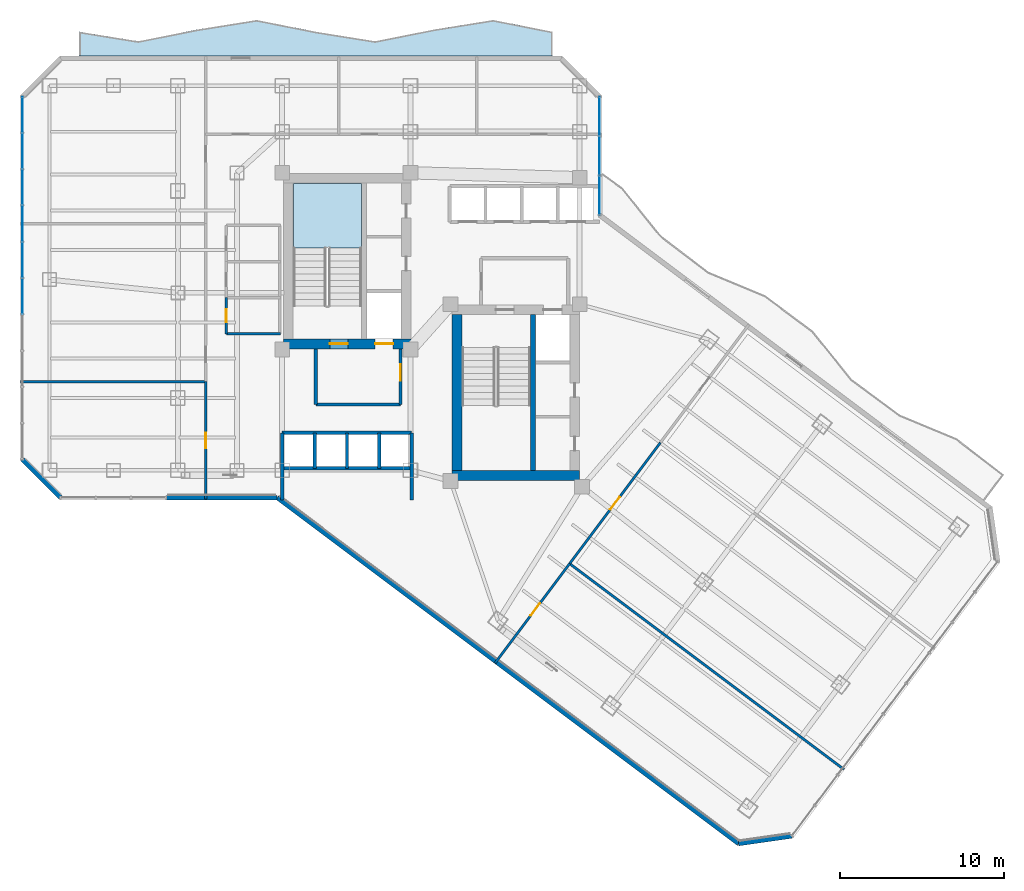
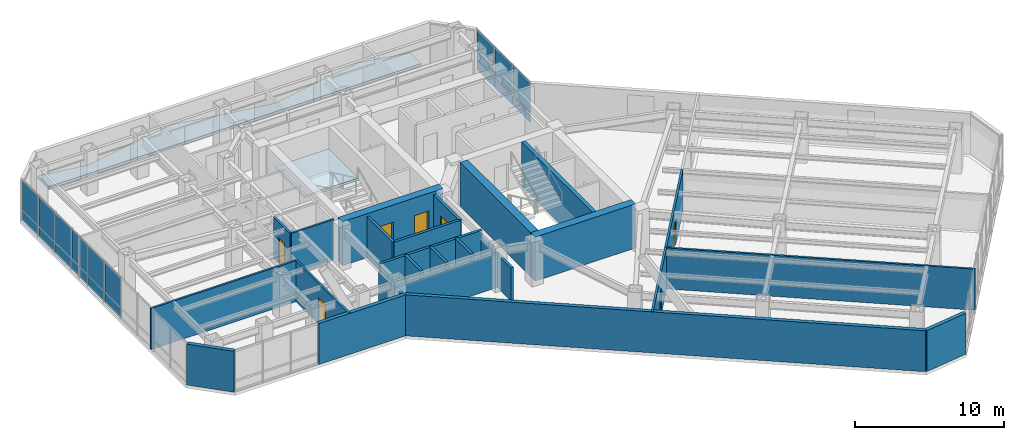
# One storey, part 23 of 30: 25 walls, 18 plates, 7 doors, 2 slabs, 7 openings, 3 elements without a shape of their own.
"""IFC4 building model written with IfcOpenShell, lengths in metres."""

from ifc_helpers import new_model, si_unit, direction, frame, frame_2d, origin, origin_2d, place, context, subcontext, project, spatial, polyline, rectangle, outline, extrude, material, layer, layer_set, type_object, element, fill, aggregate, save


model = new_model("IFC4")

# Units and contexts
model_context = context("Model", 3, precision=1e-05, world=origin(), true_north=direction((0.0, 1.0)))
body_context = subcontext(model_context, "Body", "Model", "MODEL_VIEW")
ifc_project = project(units=[si_unit("LENGTHUNIT", "METRE"), si_unit("AREAUNIT", "SQUARE_METRE"), si_unit("VOLUMEUNIT", "CUBIC_METRE"), si_unit("PLANEANGLEUNIT", "RADIAN"), si_unit("MASSUNIT", "GRAM", prefix="KILO")], contexts=[model_context])

# Site, building, storey
site_placement = place(None, origin())
site = spatial("IfcSite", under=ifc_project, at=site_placement, CompositionType="ELEMENT")
building_placement = place(site_placement, origin())
building = spatial("IfcBuilding", under=site, at=building_placement, Name="Hatsunagi Terrace Concourse", CompositionType="ELEMENT")
storey_placement = place(building_placement, frame((0.0, 0.0, 101.25)))
storey = spatial("IfcBuildingStorey", under=building, at=storey_placement, Name="L26", CompositionType="ELEMENT", Elevation=101.25)

# Curtain wall, plates
ifc_material_1 = material(Name="Anodised Aluminium Alloy 6063-T5", Category="aluminium")
ifc_layer_1 = layer(ifc_material_1, 0.199951171875)
ifc_layer_set_1 = layer_set([ifc_layer_1], Name="OfficeZone1_CW03")
curtain_wall_type = type_object("IfcCurtainWallType", Name="OfficeZone1_CW03", PredefinedType="NOTDEFINED", material=ifc_layer_set_1)
curtain_wall_1_placement = place(storey_placement, origin())
curtain_wall_1 = element("IfcCurtainWall", 1, at=curtain_wall_1_placement, inside=storey, type_object=curtain_wall_type, Name="Unitised Curtain Wall CW-03 CW-L26-09", PredefinedType="NOTDEFINED")
ifc_material_2 = material(Name="Warm Terracotta Ceramic Spandrel Panel", Category="masonry")
ifc_layer_2 = layer(ifc_material_2, 0.031982421875)
ifc_layer_set_2 = layer_set([ifc_layer_2], Name="CurtainWallSpandrelPanel_32")
plate_type_1 = type_object("IfcPlateType", Name="CurtainWallSpandrelPanel_32", PredefinedType="SHEET", material=ifc_layer_set_2)
plate_1_placement = place(storey_placement, frame((9.739990234375, 35.7958984375, 0.030029296875), z_axis=(0.0, 0.0, 1.0), x_axis=(0.0, 1.0, 0.0)))
plate_1 = element("IfcPlate", 2, at=plate_1_placement, type_object=plate_type_1, Name="Terracotta Spandrel Panel SPN-01", PredefinedType="SHEET", context=body_context, shape_type="SweptSolid", body=[
    extrude(rectangle(XDim=2.153076171875, YDim=0.031982421875, at=origin_2d()), origin(), (0.0, 0.0, 1.0), 0.7900390625),
])
plate_2_placement = place(storey_placement, frame((9.739990234375, 38.00390625, 0.030029296875), z_axis=(0.0, 0.0, 1.0), x_axis=(0.0, 1.0, 0.0)))
plate_2 = element("IfcPlate", 3, at=plate_2_placement, type_object=plate_type_1, Name="Terracotta Spandrel Panel SPN-01", PredefinedType="SHEET", context=body_context, shape_type="SweptSolid", body=[
    extrude(rectangle(XDim=2.153076171875, YDim=0.031982421875, at=origin_2d()), origin(), (0.0, 0.0, 1.0), 0.7900390625),
])
plate_3_placement = place(storey_placement, frame((9.739990234375, 40.212890625, 0.030029296875), z_axis=(0.0, 0.0, 1.0), x_axis=(0.0, 1.0, 0.0)))
plate_3 = element("IfcPlate", 4, at=plate_3_placement, type_object=plate_type_1, Name="Terracotta Spandrel Panel SPN-01", PredefinedType="SHEET", context=body_context, shape_type="SweptSolid", body=[
    extrude(rectangle(XDim=2.153076171875, YDim=0.031982421875, at=origin_2d()), origin(), (0.0, 0.0, 1.0), 0.7900390625),
])
plate_4_placement = place(storey_placement, frame((9.739990234375, 42.4208984375, 0.030029296875), z_axis=(0.0, 0.0, 1.0), x_axis=(0.0, 1.0, 0.0)))
plate_4 = element("IfcPlate", 5, at=plate_4_placement, type_object=plate_type_1, Name="Terracotta Spandrel Panel SPN-01", PredefinedType="SHEET", context=body_context, shape_type="SweptSolid", body=[
    extrude(rectangle(XDim=2.153076171875, YDim=0.031982421875, at=origin_2d()), origin(), (0.0, 0.0, 1.0), 0.7900390625),
])
plate_5_placement = place(storey_placement, frame((9.739990234375, 44.62890625, 0.030029296875), z_axis=(0.0, 0.0, 1.0), x_axis=(0.0, 1.0, 0.0)))
plate_5 = element("IfcPlate", 6, at=plate_5_placement, type_object=plate_type_1, Name="Terracotta Spandrel Panel SPN-01", PredefinedType="SHEET", context=body_context, shape_type="SweptSolid", body=[
    extrude(rectangle(XDim=2.153076171875, YDim=0.031982421875, at=origin_2d()), origin(), (0.0, 0.0, 1.0), 0.7900390625),
])
plate_6_placement = place(storey_placement, frame((9.739990234375, 46.837890625, 0.030029296875), z_axis=(0.0, 0.0, 1.0), x_axis=(0.0, 1.0, 0.0)))
plate_6 = element("IfcPlate", 7, at=plate_6_placement, type_object=plate_type_1, Name="Terracotta Spandrel Panel SPN-01", PredefinedType="SHEET", context=body_context, shape_type="SweptSolid", body=[
    extrude(rectangle(XDim=2.153076171875, YDim=0.031982421875, at=origin_2d()), origin(), (0.0, 0.0, 1.0), 0.7900390625),
])

curtain_wall_2_placement = place(storey_placement, origin())
curtain_wall_2 = element("IfcCurtainWall", 8, at=curtain_wall_2_placement, inside=storey, type_object=curtain_wall_type, Name="Unitised Curtain Wall CW-03 CW-L26-13", PredefinedType="NOTDEFINED")
plate_7_placement = place(storey_placement, frame((44.860107421875, 46.739990234375, 0.030029296875), z_axis=(0.0, 0.0, 1.0), x_axis=(0.0, -1.0, 0.0)))
plate_7 = element("IfcPlate", 9, at=plate_7_placement, type_object=plate_type_1, Name="Terracotta Spandrel Panel SPN-01", PredefinedType="SHEET", context=body_context, shape_type="SweptSolid", body=[
    extrude(rectangle(XDim=2.34912109375, YDim=0.031982421875, at=origin_2d()), origin(), (0.0, 0.0, 1.0), 0.7900390625),
])
plate_8_placement = place(storey_placement, frame((44.860107421875, 44.3359375, 0.030029296875), z_axis=(0.0, 0.0, 1.0), x_axis=(0.0, -1.0, 0.0)))
plate_8 = element("IfcPlate", 10, at=plate_8_placement, type_object=plate_type_1, Name="Terracotta Spandrel Panel SPN-01", PredefinedType="SHEET", context=body_context, shape_type="SweptSolid", body=[
    extrude(rectangle(XDim=2.34912109375, YDim=0.031982421875, at=origin_2d()), origin(), (0.0, 0.0, 1.0), 0.7900390625),
])
plate_9_placement = place(storey_placement, frame((44.860107421875, 41.931884765625, 0.030029296875), z_axis=(0.0, 0.0, 1.0), x_axis=(0.0, -1.0, 0.0)))
plate_9 = element("IfcPlate", 11, at=plate_9_placement, type_object=plate_type_1, Name="Terracotta Spandrel Panel SPN-01", PredefinedType="SHEET", context=body_context, shape_type="SweptSolid", body=[
    extrude(rectangle(XDim=2.34912109375, YDim=0.031982421875, at=origin_2d()), origin(), (0.0, 0.0, 1.0), 0.7900390625),
])

# Plate
ifc_material_3 = material(Name="Low-E Double Insulating Glass 28mm", Category="glass")
ifc_layer_3 = layer(ifc_material_3, 0.028076171875)
ifc_layer_set_3 = layer_set([ifc_layer_3], Name="CurtainWallVisionGlass_28")
plate_type_2 = type_object("IfcPlateType", Name="CurtainWallVisionGlass_28", PredefinedType="CURTAIN_PANEL", material=ifc_layer_set_3)
plate_10_placement = place(storey_placement, frame((9.739990234375, 35.7958984375, 0.880126953125), z_axis=(0.0, 0.0, 1.0), x_axis=(0.0, 1.0, 0.0)))
plate_10 = element("IfcPlate", 12, at=plate_10_placement, type_object=plate_type_2, Name="Low-E Vision Glass Panel GLZ-01", PredefinedType="CURTAIN_PANEL", context=body_context, shape_type="SweptSolid", body=[
    extrude(rectangle(XDim=2.153076171875, YDim=0.028076171875, at=origin_2d()), origin(), (0.0, 0.0, 1.0), 2.43994140625),
])

plate_11_placement = place(storey_placement, frame((9.739990234375, 38.00390625, 0.880126953125), z_axis=(0.0, 0.0, 1.0), x_axis=(0.0, 1.0, 0.0)))
plate_11 = element("IfcPlate", 13, at=plate_11_placement, type_object=plate_type_2, Name="Low-E Vision Glass Panel GLZ-01", PredefinedType="CURTAIN_PANEL", context=body_context, shape_type="SweptSolid", body=[
    extrude(rectangle(XDim=2.153076171875, YDim=0.028076171875, at=origin_2d()), origin(), (0.0, 0.0, 1.0), 2.43994140625),
])

plate_12_placement = place(storey_placement, frame((9.739990234375, 40.212890625, 0.880126953125), z_axis=(0.0, 0.0, 1.0), x_axis=(0.0, 1.0, 0.0)))
plate_12 = element("IfcPlate", 14, at=plate_12_placement, type_object=plate_type_2, Name="Low-E Vision Glass Panel GLZ-01", PredefinedType="CURTAIN_PANEL", context=body_context, shape_type="SweptSolid", body=[
    extrude(rectangle(XDim=2.153076171875, YDim=0.028076171875, at=origin_2d()), origin(), (0.0, 0.0, 1.0), 2.43994140625),
])

plate_13_placement = place(storey_placement, frame((9.739990234375, 42.4208984375, 0.880126953125), z_axis=(0.0, 0.0, 1.0), x_axis=(0.0, 1.0, 0.0)))
plate_13 = element("IfcPlate", 15, at=plate_13_placement, type_object=plate_type_2, Name="Low-E Vision Glass Panel GLZ-01", PredefinedType="CURTAIN_PANEL", context=body_context, shape_type="SweptSolid", body=[
    extrude(rectangle(XDim=2.153076171875, YDim=0.028076171875, at=origin_2d()), origin(), (0.0, 0.0, 1.0), 2.43994140625),
])

plate_14_placement = place(storey_placement, frame((9.739990234375, 44.62890625, 0.880126953125), z_axis=(0.0, 0.0, 1.0), x_axis=(0.0, 1.0, 0.0)))
plate_14 = element("IfcPlate", 16, at=plate_14_placement, type_object=plate_type_2, Name="Low-E Vision Glass Panel GLZ-01", PredefinedType="CURTAIN_PANEL", context=body_context, shape_type="SweptSolid", body=[
    extrude(rectangle(XDim=2.153076171875, YDim=0.028076171875, at=origin_2d()), origin(), (0.0, 0.0, 1.0), 2.43994140625),
])

plate_15_placement = place(storey_placement, frame((9.739990234375, 46.837890625, 0.880126953125), z_axis=(0.0, 0.0, 1.0), x_axis=(0.0, 1.0, 0.0)))
plate_15 = element("IfcPlate", 17, at=plate_15_placement, type_object=plate_type_2, Name="Low-E Vision Glass Panel GLZ-01", PredefinedType="CURTAIN_PANEL", context=body_context, shape_type="SweptSolid", body=[
    extrude(rectangle(XDim=2.153076171875, YDim=0.028076171875, at=origin_2d()), origin(), (0.0, 0.0, 1.0), 2.43994140625),
])

aggregate(curtain_wall_1, [plate_1, plate_10, plate_2, plate_11, plate_3, plate_12, plate_4, plate_13, plate_5, plate_14, plate_6, plate_15])

plate_16_placement = place(storey_placement, frame((44.860107421875, 46.739990234375, 0.880126953125), z_axis=(0.0, 0.0, 1.0), x_axis=(0.0, -1.0, 0.0)))
plate_16 = element("IfcPlate", 18, at=plate_16_placement, type_object=plate_type_2, Name="Low-E Vision Glass Panel GLZ-01", PredefinedType="CURTAIN_PANEL", context=body_context, shape_type="SweptSolid", body=[
    extrude(rectangle(XDim=2.34912109375, YDim=0.028076171875, at=origin_2d()), origin(), (0.0, 0.0, 1.0), 2.43994140625),
])

plate_17_placement = place(storey_placement, frame((44.860107421875, 44.3359375, 0.880126953125), z_axis=(0.0, 0.0, 1.0), x_axis=(0.0, -1.0, 0.0)))
plate_17 = element("IfcPlate", 19, at=plate_17_placement, type_object=plate_type_2, Name="Low-E Vision Glass Panel GLZ-01", PredefinedType="CURTAIN_PANEL", context=body_context, shape_type="SweptSolid", body=[
    extrude(rectangle(XDim=2.34912109375, YDim=0.028076171875, at=origin_2d()), origin(), (0.0, 0.0, 1.0), 2.43994140625),
])

plate_18_placement = place(storey_placement, frame((44.860107421875, 41.931884765625, 0.880126953125), z_axis=(0.0, 0.0, 1.0), x_axis=(0.0, -1.0, 0.0)))
plate_18 = element("IfcPlate", 20, at=plate_18_placement, type_object=plate_type_2, Name="Low-E Vision Glass Panel GLZ-01", PredefinedType="CURTAIN_PANEL", context=body_context, shape_type="SweptSolid", body=[
    extrude(rectangle(XDim=2.34912109375, YDim=0.028076171875, at=origin_2d()), origin(), (0.0, 0.0, 1.0), 2.43994140625),
])

aggregate(curtain_wall_2, [plate_7, plate_16, plate_8, plate_17, plate_9, plate_18])

# Stair, slab
ifc_material_4 = material(Name="Concrete Fc42", Category="concrete")
stair_type = type_object("IfcStairType", Name="DoglegExitStair_Tower2000_20R_180", PredefinedType="HALF_TURN_STAIR", material=ifc_material_4)
stair_placement = place(storey_placement, origin())
stair = element("IfcStair", 21, at=stair_placement, inside=storey, type_object=stair_type, Name="L26 Core A Protected Exit Stair ST-A", PredefinedType="HALF_TURN_STAIR")
ifc_material_5 = material(Name="Concrete Fc42", Category="concrete")
ifc_layer_4 = layer(ifc_material_5, 0.199951171875)
ifc_layer_set_4 = layer_set([ifc_layer_4], Name="DoglegStairLanding_Tower2000")
slab_type_1 = type_object("IfcSlabType", Name="DoglegStairLanding_Tower2000", PredefinedType="LANDING", material=ifc_layer_set_4)
slab_1_placement = place(storey_placement, frame((0.0, 0.0, 1.60009765625)))
slab_1 = element("IfcSlab", 22, at=slab_1_placement, type_object=slab_type_1, Name="ST-A landing 1", PredefinedType="LANDING", context=body_context, shape_type="SweptSolid", body=[
    extrude(outline(polyline([(30.3798828125, 38.7099609375), (30.3798828125, 42.659912109375), (26.22998046875, 42.659912109375), (26.22998046875, 38.7099609375), (30.3798828125, 38.7099609375)])), origin(), (0.0, 0.0, 1.0), 0.199951171875),
])
aggregate(stair, [slab_1])

# Slab
ifc_material_6 = material(Name="Concrete Fc42", Category="concrete")
ifc_layer_5 = layer(ifc_material_6, 0.199951171875)
ifc_layer_set_5 = layer_set([ifc_layer_5], Name="EngawaBalconySlab_Fc42_200")
slab_type_2 = type_object("IfcSlabType", Name="EngawaBalconySlab_Fc42_200", PredefinedType="FLOOR", material=ifc_layer_set_5)
slab_2_placement = place(storey_placement, frame((0.0, 0.0, -0.199951171875)))
element("IfcSlab", 23, at=slab_2_placement, inside=storey, type_object=slab_type_2, Name="Engawa Balcony Slab BAL-L26-BN", PredefinedType="FLOOR", context=body_context, shape_type="SweptSolid", body=[
    extrude(outline(polyline([(13.199951171875, 51.882080078125), (13.199951171875, 50.39990234375), (42.0, 50.39990234375), (42.0, 51.882080078125), (38.39990234375, 52.595947265625), (34.800048828125, 52.01806640625), (31.199951171875, 51.303955078125), (27.60009765625, 51.882080078125), (24.0, 52.595947265625), (20.39990234375, 52.01806640625), (16.800048828125, 51.303955078125), (13.199951171875, 51.882080078125)])), origin(), (0.0, 0.0, 1.0), 0.199951171875),
])

# Wall, openings, doors
ifc_material_7 = material(Name="Concrete Fc48", Category="concrete")
ifc_layer_6 = layer(ifc_material_7, 0.60009765625)
ifc_layer_set_6 = layer_set([ifc_layer_6], Name="CoreShearWall_Fc48_600")
wall_type_1 = type_object("IfcWallType", Name="CoreShearWall_Fc48_600", PredefinedType="SHEAR", material=ifc_layer_set_6)
wall_1_placement = place(storey_placement, frame((25.6201171875, 32.889892578125, 0.0), z_axis=(0.0, 0.0, 1.0), x_axis=(1.0, 0.0, 0.0)))
wall_1 = element("IfcWall", 24, at=wall_1_placement, inside=storey, type_object=wall_type_1, Name="Core A Shear Wall S L26", PredefinedType="SHEAR", context=body_context, shape_type="SweptSolid", body=[
    extrude(rectangle(XDim=7.77978515625, YDim=0.60009765625, at=frame_2d((3.889892578125, 0.0))), origin(), (0.0, 0.0, 1.0), 3.60009765625),
])
opening_1_placement = place(wall_1_placement, frame((2.830078125, 0.0, 0.0)))
opening_1 = element("IfcOpeningElement", 25, at=opening_1_placement, cuts=wall_1, Name="Opening DR-110S", PredefinedType="OPENING", context=body_context, shape_type="SweptSolid", body=[
    extrude(rectangle(XDim=1.10009765625, YDim=2.199951171875, at=frame_2d((0.550048828125, 1.10009765625))), frame((0.0, 0.31005859375, 0.0), z_axis=(0.0, -1.0, 0.0), x_axis=(1.0, 0.0, 0.0)), (0.0, 0.0, 1.0), 0.6201171875),
])
opening_2_placement = place(wall_1_placement, frame((5.580078125, 0.0, 0.0)))
opening_2 = element("IfcOpeningElement", 26, at=opening_2_placement, cuts=wall_1, Name="Opening LD-01", PredefinedType="OPENING", context=body_context, shape_type="SweptSolid", body=[
    extrude(rectangle(XDim=1.10009765625, YDim=2.14990234375, at=frame_2d((0.550048828125, 1.074951171875))), frame((0.0, 0.31005859375, 0.0), z_axis=(0.0, -1.0, 0.0), x_axis=(1.0, 0.0, 0.0)), (0.0, 0.0, 1.0), 0.6201171875),
])
ifc_material_8 = material(Name="Stainless steel", Category="steel")
door_type_1 = type_object("IfcDoorType", Name="LiftLandingDoor_LD01", OperationType="SLIDING_TO_LEFT", PredefinedType="USERDEFINED", material=ifc_material_8)
door_1_placement = place(opening_2_placement, origin())
door_1 = element("IfcDoor", 27, at=door_1_placement, inside=storey, type_object=door_type_1, Name="Lift landing door FF-01 L26", ObjectType="SLIDING_LANDING_DOOR", OperationType="SLIDING_TO_LEFT", OverallHeight=2.14990234375, OverallWidth=1.10009765625, PredefinedType="USERDEFINED", context=body_context, shape_type="SweptSolid", body=[
    extrude(rectangle(XDim=1.10009765625, YDim=2.14990234375, at=frame_2d((0.550048828125, 1.074951171875))), frame((0.0, 0.02490234375, 0.0), z_axis=(0.0, -1.0, 0.0), x_axis=(1.0, 0.0, 0.0)), (0.0, 0.0, 1.0), 0.050048828125),
])
fill(opening_2, door_1)
ifc_material_9 = material(Name="Painted steel", Category="steel")
door_type_2 = type_object("IfcDoorType", Name="StairFireDoor_EI60_1100", OperationType="NOTDEFINED", PredefinedType="DOOR", material=ifc_material_9)
door_2_placement = place(opening_1_placement, origin())
door_2 = element("IfcDoor", 28, at=door_2_placement, inside=storey, type_object=door_type_2, Name="Stair ST-A Exit Door L26", OperationType="SINGLE_SWING_LEFT", OverallHeight=2.199951171875, OverallWidth=1.10009765625, PredefinedType="DOOR", context=body_context, shape_type="SweptSolid", body=[
    extrude(rectangle(XDim=1.10009765625, YDim=2.199951171875, at=frame_2d((0.550048828125, 1.10009765625))), frame((0.0, 0.02490234375, 0.0), z_axis=(0.0, -1.0, 0.0), x_axis=(1.0, 0.0, 0.0)), (0.0, 0.0, 1.0), 0.050048828125),
])
fill(opening_1, door_2)

# Walls
wall_2_placement = place(storey_placement, frame((35.889892578125, 24.889892578125, 0.0), z_axis=(0.0, 0.0, 1.0), x_axis=(1.0, 0.0, 0.0)))
element("IfcWall", 29, at=wall_2_placement, inside=storey, type_object=wall_type_1, Name="Core B Shear Wall S L26", PredefinedType="SHEAR", context=body_context, shape_type="SweptSolid", body=[
    extrude(rectangle(XDim=7.760009765625, YDim=0.60009765625, at=frame_2d((3.8798828125, 0.0))), origin(), (0.0, 0.0, 1.0), 3.60009765625),
])
wall_3_placement = place(storey_placement, frame((36.18994140625, 25.18994140625, 0.0), z_axis=(0.0, 0.0, 1.0), x_axis=(0.0, 1.0, 0.0)))
element("IfcWall", 30, at=wall_3_placement, inside=storey, type_object=wall_type_1, Name="Core B Shear Wall W L26", PredefinedType="SHEAR", context=body_context, shape_type="SweptSolid", body=[
    extrude(rectangle(XDim=9.47998046875, YDim=0.60009765625, at=frame_2d((4.739990234375, 0.0))), origin(), (0.0, 0.0, 1.0), 3.60009765625),
])
ifc_material_10 = material(Name="Concrete Fc48", Category="concrete")
ifc_layer_7 = layer(ifc_material_10, 0.300048828125)
ifc_layer_set_7 = layer_set([ifc_layer_7], Name="CoreStairDivider_Fc48_300")
wall_type_2 = type_object("IfcWallType", Name="CoreStairDivider_Fc48_300", PredefinedType="SHEAR", material=ifc_layer_set_7)
wall_4_placement = place(storey_placement, frame((40.81005859375, 25.18994140625, 0.0), z_axis=(0.0, 0.0, 1.0), x_axis=(0.0, 1.0, 0.0)))
element("IfcWall", 31, at=wall_4_placement, inside=storey, type_object=wall_type_2, Name="Core B Shear Wall D L26", PredefinedType="SHEAR", context=body_context, shape_type="SweptSolid", body=[
    extrude(rectangle(XDim=9.47998046875, YDim=0.300048828125, at=frame_2d((4.739990234375, 0.0))), origin(), (0.0, 0.0, 1.0), 3.60009765625),
])
ifc_material_11 = material(Name="Acoustic mineral board", Category="gypsum")
ifc_layer_8 = layer(ifc_material_11, 0.14990234375)
ifc_layer_set_8 = layer_set([ifc_layer_8], Name="PartitionWall_EI60_150")
wall_type_3 = type_object("IfcWallType", Name="PartitionWall_EI60_150", PredefinedType="PARTITIONING", material=ifc_layer_set_8)
wall_5_placement = place(storey_placement, frame((22.14990234375, 33.5, 0.0), z_axis=(0.0, 0.0, 1.0), x_axis=(1.0, 0.0, 0.0)))
element("IfcWall", 32, at=wall_5_placement, inside=storey, type_object=wall_type_3, Name="Interior Partition IW-L26-024", PredefinedType="PARTITIONING", context=body_context, shape_type="SweptSolid", body=[
    extrude(rectangle(XDim=3.300048828125, YDim=0.14990234375, at=frame_2d((1.64990234375, 0.0))), origin(), (0.0, 0.0, 1.0), 3.35009765625),
])

# Wall, opening, door
wall_6_placement = place(storey_placement, frame((22.14990234375, 33.5, 0.0), z_axis=(0.0, 0.0, 1.0), x_axis=(0.0, 1.0, 0.0)))
wall_6 = element("IfcWall", 33, at=wall_6_placement, inside=storey, type_object=wall_type_3, Name="Interior Partition IW-L26-029", PredefinedType="PARTITIONING", context=body_context, shape_type="SweptSolid", body=[
    extrude(rectangle(XDim=2.199951171875, YDim=0.14990234375, at=frame_2d((1.10009765625, 0.0))), origin(), (0.0, 0.0, 1.0), 3.35009765625),
])
opening_3_placement = place(wall_6_placement, frame((0.699951171875, 0.0, 0.0)))
opening_3 = element("IfcOpeningElement", 34, at=opening_3_placement, cuts=wall_6, Name="Opening DR-080", PredefinedType="OPENING", context=body_context, shape_type="SweptSolid", body=[
    extrude(rectangle(XDim=0.800048828125, YDim=2.06005859375, at=frame_2d((0.39990234375, 1.030029296875))), frame((0.0, 0.0849609375, 0.0), z_axis=(0.0, -1.0, 0.0), x_axis=(1.0, 0.0, 0.0)), (0.0, 0.0, 1.0), 0.169921875),
])
ifc_material_12 = material(Name="Hardwood timber", Category="wood")
door_type_3 = type_object("IfcDoorType", Name="BathroomDoor_800", OperationType="NOTDEFINED", PredefinedType="DOOR", material=ifc_material_12)
door_3_placement = place(opening_3_placement, origin())
door_3 = element("IfcDoor", 35, at=door_3_placement, inside=storey, type_object=door_type_3, Name="Accessible WC Door L26", OperationType="SINGLE_SWING_RIGHT", OverallHeight=2.06005859375, OverallWidth=0.800048828125, PredefinedType="DOOR", context=body_context, shape_type="SweptSolid", body=[
    extrude(rectangle(XDim=0.800048828125, YDim=2.06005859375, at=frame_2d((0.39990234375, 1.030029296875))), frame((0.0, 0.02490234375, 0.0), z_axis=(0.0, -1.0, 0.0), x_axis=(1.0, 0.0, 0.0)), (0.0, 0.0, 1.0), 0.050048828125),
])
fill(opening_3, door_3)

# Wall
wall_7_placement = place(storey_placement, frame((9.639892578125, 30.60009765625, 0.0), z_axis=(0.0, 0.0, 1.0), x_axis=(1.0, 0.0, 0.0)))
element("IfcWall", 36, at=wall_7_placement, inside=storey, type_object=wall_type_3, Name="Interior Partition IW-L26-032", PredefinedType="PARTITIONING", context=body_context, shape_type="SweptSolid", body=[
    extrude(rectangle(XDim=11.260009765625, YDim=0.14990234375, at=frame_2d((5.6298828125, 0.0))), origin(), (0.0, 0.0, 1.0), 3.35009765625),
])

# Wall, opening, door
wall_8_placement = place(storey_placement, frame((20.89990234375, 23.43994140625, 0.0), z_axis=(0.0, 0.0, 1.0), x_axis=(0.0, 1.0, 0.0)))
wall_8 = element("IfcWall", 37, at=wall_8_placement, inside=storey, type_object=wall_type_3, Name="Interior Partition IW-L26-033", PredefinedType="PARTITIONING", context=body_context, shape_type="SweptSolid", body=[
    extrude(rectangle(XDim=7.16015625, YDim=0.14990234375, at=frame_2d((3.580078125, 0.0))), origin(), (0.0, 0.0, 1.0), 3.35009765625),
])
opening_4_placement = place(wall_8_placement, frame((3.10498046875, 0.0, 0.0)))
opening_4 = element("IfcOpeningElement", 38, at=opening_4_placement, cuts=wall_8, Name="Opening DR-095", PredefinedType="OPENING", context=body_context, shape_type="SweptSolid", body=[
    extrude(rectangle(XDim=0.949951171875, YDim=2.14990234375, at=frame_2d((0.47509765625, 1.074951171875))), frame((0.0, 0.0849609375, 0.0), z_axis=(0.0, -1.0, 0.0), x_axis=(1.0, 0.0, 0.0)), (0.0, 0.0, 1.0), 0.169921875),
])
ifc_material_13 = material(Name="Hardwood timber", Category="wood")
door_type_4 = type_object("IfcDoorType", Name="InteriorSuiteDoor_EI30_950", OperationType="NOTDEFINED", PredefinedType="DOOR", material=ifc_material_13)
door_4_placement = place(opening_4_placement, origin())
door_4 = element("IfcDoor", 39, at=door_4_placement, inside=storey, type_object=door_type_4, Name="Team Innovation Studio L26-OW1 Door", OperationType="SINGLE_SWING_RIGHT", OverallHeight=2.14990234375, OverallWidth=0.949951171875, PredefinedType="DOOR", context=body_context, shape_type="SweptSolid", body=[
    extrude(rectangle(XDim=0.949951171875, YDim=2.14990234375, at=frame_2d((0.47509765625, 1.074951171875))), frame((0.0, 0.02490234375, 0.0), z_axis=(0.0, -1.0, 0.0), x_axis=(1.0, 0.0, 0.0)), (0.0, 0.0, 1.0), 0.050048828125),
])
fill(opening_4, door_4)

# Wall
wall_9_placement = place(storey_placement, frame((43.0400390625, 19.52001953125, 0.0), z_axis=(0.0, 0.0, 1.0), x_axis=(0.799997191095, -0.600003745189, 0.0)))
element("IfcWall", 40, at=wall_9_placement, inside=storey, type_object=wall_type_3, Name="Interior Partition IW-L26-042", PredefinedType="PARTITIONING", context=body_context, shape_type="SweptSolid", body=[
    extrude(rectangle(XDim=20.860107421875, YDim=0.14990234375, at=frame_2d((10.43017578125, 0.0))), origin(), (0.0, 0.0, 1.0), 3.35009765625),
])

# Wall, opening, door
wall_10_placement = place(storey_placement, frame((38.50390625, 13.471923828125, 0.0), z_axis=(0.0, 0.0, 1.0), x_axis=(0.600005166878, 0.799996124815, 0.0)))
wall_10 = element("IfcWall", 41, at=wall_10_placement, inside=storey, type_object=wall_type_3, Name="Interior Partition IW-L26-043", PredefinedType="PARTITIONING", context=body_context, shape_type="SweptSolid", body=[
    extrude(rectangle(XDim=7.56005859375, YDim=0.14990234375, at=frame_2d((3.780029296875, 0.0))), origin(), (0.0, 0.0, 1.0), 3.35009765625),
])
opening_5_placement = place(wall_10_placement, frame((3.597900390625, 0.0, 0.0)))
opening_5 = element("IfcOpeningElement", 42, at=opening_5_placement, cuts=wall_10, Name="Opening DR-095", PredefinedType="OPENING", context=body_context, shape_type="SweptSolid", body=[
    extrude(rectangle(XDim=0.949951171875, YDim=2.14990234375, at=frame_2d((0.47509765625, 1.074951171875))), frame((0.0, 0.0849609375, 0.0), z_axis=(0.0, -1.0, 0.0), x_axis=(1.0, 0.0, 0.0)), (0.0, 0.0, 1.0), 0.169921875),
])
door_5_placement = place(opening_5_placement, origin())
door_5 = element("IfcDoor", 43, at=door_5_placement, inside=storey, type_object=door_type_4, Name="Research Focus Suite L26-OSE1 Door", OperationType="SINGLE_SWING_RIGHT", OverallHeight=2.14990234375, OverallWidth=0.949951171875, PredefinedType="DOOR", context=body_context, shape_type="SweptSolid", body=[
    extrude(rectangle(XDim=0.949951171875, YDim=2.14990234375, at=frame_2d((0.47509765625, 1.074951171875))), frame((0.0, 0.02490234375, 0.0), z_axis=(0.0, -1.0, 0.0), x_axis=(1.0, 0.0, 0.0)), (0.0, 0.0, 1.0), 0.050048828125),
])
fill(opening_5, door_5)

wall_11_placement = place(storey_placement, frame((43.0400390625, 19.52001953125, 0.0), z_axis=(0.0, 0.0, 1.0), x_axis=(0.600008491904, 0.799993631001, 0.0)))
wall_11 = element("IfcWall", 44, at=wall_11_placement, inside=storey, type_object=wall_type_3, Name="Interior Partition IW-L26-045", PredefinedType="PARTITIONING", context=body_context, shape_type="SweptSolid", body=[
    extrude(rectangle(XDim=9.199951171875, YDim=0.14990234375, at=frame_2d((4.60009765625, 0.0))), origin(), (0.0, 0.0, 1.0), 3.35009765625),
])
opening_6_placement = place(wall_11_placement, frame((4.125, 0.0, 0.0)))
opening_6 = element("IfcOpeningElement", 45, at=opening_6_placement, cuts=wall_11, Name="Opening DR-095", PredefinedType="OPENING", context=body_context, shape_type="SweptSolid", body=[
    extrude(rectangle(XDim=0.949951171875, YDim=2.14990234375, at=frame_2d((0.47509765625, 1.074951171875))), frame((0.0, 0.0849609375, 0.0), z_axis=(0.0, -1.0, 0.0), x_axis=(1.0, 0.0, 0.0)), (0.0, 0.0, 1.0), 0.169921875),
])
door_6_placement = place(opening_6_placement, origin())
door_6 = element("IfcDoor", 46, at=door_6_placement, inside=storey, type_object=door_type_4, Name="Team Innovation Studio L26-OSE2 Door", OperationType="SINGLE_SWING_RIGHT", OverallHeight=2.14990234375, OverallWidth=0.949951171875, PredefinedType="DOOR", context=body_context, shape_type="SweptSolid", body=[
    extrude(rectangle(XDim=0.949951171875, YDim=2.14990234375, at=frame_2d((0.47509765625, 1.074951171875))), frame((0.0, 0.02490234375, 0.0), z_axis=(0.0, -1.0, 0.0), x_axis=(1.0, 0.0, 0.0)), (0.0, 0.0, 1.0), 0.050048828125),
])
fill(opening_6, door_6)

# Walls
ifc_material_14 = material(Name="Acoustic mineral board", Category="gypsum")
ifc_layer_9 = layer(ifc_material_14, 0.199951171875)
ifc_layer_set_9 = layer_set([ifc_layer_9], Name="ShaftWall_EI120_200")
wall_type_4 = type_object("IfcWallType", Name="ShaftWall_EI120_200", PredefinedType="STANDARD", material=ifc_layer_set_9)
wall_12_placement = place(storey_placement, frame((27.60009765625, 29.199951171875, 0.0), z_axis=(0.0, 0.0, 1.0), x_axis=(1.0, 0.0, 0.0)))
element("IfcWall", 47, at=wall_12_placement, inside=storey, type_object=wall_type_4, Name="Interior Partition IW-L26-005", PredefinedType="STANDARD", context=body_context, shape_type="SweptSolid", body=[
    extrude(rectangle(XDim=5.14990234375, YDim=0.199951171875, at=frame_2d((2.574951171875, 0.0))), origin(), (0.0, 0.0, 1.0), 3.35009765625),
])
wall_13_placement = place(storey_placement, frame((27.60009765625, 29.199951171875, 0.0), z_axis=(0.0, 0.0, 1.0), x_axis=(0.0, 1.0, 0.0)))
element("IfcWall", 48, at=wall_13_placement, inside=storey, type_object=wall_type_4, Name="Interior Partition IW-L26-006", PredefinedType="STANDARD", context=body_context, shape_type="SweptSolid", body=[
    extrude(rectangle(XDim=3.39013671875, YDim=0.199951171875, at=frame_2d((1.695068359375, 0.0))), origin(), (0.0, 0.0, 1.0), 3.35009765625),
])

# Wall, opening, door
wall_14_placement = place(storey_placement, frame((32.75, 29.199951171875, 0.0), z_axis=(0.0, 0.0, 1.0), x_axis=(0.0, 1.0, 0.0)))
wall_14 = element("IfcWall", 49, at=wall_14_placement, inside=storey, type_object=wall_type_4, Name="Interior Partition IW-L26-007", PredefinedType="STANDARD", context=body_context, shape_type="SweptSolid", body=[
    extrude(rectangle(XDim=3.39013671875, YDim=0.199951171875, at=frame_2d((1.695068359375, 0.0))), origin(), (0.0, 0.0, 1.0), 3.35009765625),
])
opening_7_placement = place(wall_14_placement, frame((1.449951171875, 0.0, 0.0)))
opening_7 = element("IfcOpeningElement", 50, at=opening_7_placement, cuts=wall_14, Name="Opening DR-100F", PredefinedType="OPENING", context=body_context, shape_type="SweptSolid", body=[
    extrude(rectangle(XDim=1.0, YDim=2.199951171875, at=frame_2d((0.5, 1.10009765625))), frame((0.0, 0.10986328125, 0.0), z_axis=(0.0, -1.0, 0.0), x_axis=(1.0, 0.0, 0.0)), (0.0, 0.0, 1.0), 0.219970703125),
])
ifc_material_15 = material(Name="Painted steel", Category="steel")
door_type_5 = type_object("IfcDoorType", Name="FireDoor_EI60_1000", OperationType="NOTDEFINED", PredefinedType="DOOR", material=ifc_material_15)
door_7_placement = place(opening_7_placement, origin())
door_7 = element("IfcDoor", 51, at=door_7_placement, inside=storey, type_object=door_type_5, Name="Firefighting Lobby A Door L26", OperationType="SINGLE_SWING_RIGHT", OverallHeight=2.199951171875, OverallWidth=1.0, PredefinedType="DOOR", context=body_context, shape_type="SweptSolid", body=[
    extrude(rectangle(XDim=1.0, YDim=2.199951171875, at=frame_2d((0.5, 1.10009765625))), frame((0.0, 0.02490234375, 0.0), z_axis=(0.0, -1.0, 0.0), x_axis=(1.0, 0.0, 0.0)), (0.0, 0.0, 1.0), 0.050048828125),
])
fill(opening_7, door_7)

# Walls
for number, where, z_axis, x_axis, name in (
    (52, (25.550048828125, 23.39990234375, 0.0), (0.0, 0.0, 1.0), (0.0, 1.0, 0.0), "Interior Partition IW-L26-011"),
    (53, (33.429931640625, 23.39990234375, 0.0), (0.0, 0.0, 1.0), (0.0, 1.0, 0.0), "Interior Partition IW-L26-012"),
):
    element("IfcWall", number, at=place(storey_placement, frame(where, z_axis=z_axis, x_axis=x_axis)), inside=storey, type_object=wall_type_4, Name=name, PredefinedType="STANDARD", context=body_context, shape_type="SweptSolid", body=[
        extrude(rectangle(XDim=4.080078125, YDim=0.199951171875, at=frame_2d((2.0400390625, 0.0))), origin(), (0.0, 0.0, 1.0), 2.695068359375),
    ])
wall_15_placement = place(storey_placement, frame((25.550048828125, 25.320068359375, 0.0), z_axis=(0.0, 0.0, 1.0), x_axis=(1.0, 0.0, 0.0)))
element("IfcWall", 54, at=wall_15_placement, inside=storey, type_object=wall_type_4, Name="Interior Partition IW-L26-013", PredefinedType="STANDARD", context=body_context, shape_type="SweptSolid", body=[
    extrude(rectangle(XDim=7.8798828125, YDim=0.199951171875, at=frame_2d((3.93994140625, 0.0))), origin(), (0.0, 0.0, 1.0), 2.7451171875),
])
for number, where, z_axis, x_axis, name in (
    (55, (27.530029296875, 25.320068359375, 0.0), (0.0, 0.0, 1.0), (0.0, 1.0, 0.0), "Interior Partition IW-L26-014"),
    (56, (29.489990234375, 25.320068359375, 0.0), (0.0, 0.0, 1.0), (0.0, 1.0, 0.0), "Interior Partition IW-L26-015"),
    (57, (31.449951171875, 25.320068359375, 0.0), (0.0, 0.0, 1.0), (0.0, 1.0, 0.0), "Interior Partition IW-L26-016"),
):
    element("IfcWall", number, at=place(storey_placement, frame(where, z_axis=z_axis, x_axis=x_axis)), inside=storey, type_object=wall_type_4, Name=name, PredefinedType="STANDARD", context=body_context, shape_type="SweptSolid", body=[
        extrude(rectangle(XDim=2.159912109375, YDim=0.199951171875, at=frame_2d((1.080078125, 0.0))), origin(), (0.0, 0.0, 1.0), 3.35009765625),
    ])
wall_16_placement = place(storey_placement, frame((25.550048828125, 27.47998046875, 0.0), z_axis=(0.0, 0.0, 1.0), x_axis=(1.0, 0.0, 0.0)))
element("IfcWall", 58, at=wall_16_placement, inside=storey, type_object=wall_type_4, Name="Interior Partition IW-L26-017", PredefinedType="STANDARD", context=body_context, shape_type="SweptSolid", body=[
    extrude(rectangle(XDim=7.8798828125, YDim=0.199951171875, at=frame_2d((3.93994140625, 0.0))), origin(), (0.0, 0.0, 1.0), 3.35009765625),
])
ifc_material_16 = material(Name="Autoclaved Lightweight Concrete and Terracotta Cladding", Category="masonry")
ifc_layer_10 = layer(ifc_material_16, 0.280029296875)
ifc_layer_set_10 = layer_set([ifc_layer_10], Name="TerracottaSpandrelWall_280")
wall_type_5 = type_object("IfcWallType", Name="TerracottaSpandrelWall_280", PredefinedType="STANDARD", material=ifc_layer_set_10)
wall_17_placement = place(storey_placement, frame((56.56298828125, 2.949951171875, 0.0), z_axis=(0.0, 0.0, 1.0), x_axis=(-0.989977778067, -0.141223223777, 0.0)))
element("IfcWall", 59, at=wall_17_placement, inside=storey, type_object=wall_type_5, Name="Exterior Spandrel Wall EW-L26-04", PredefinedType="STANDARD", context=body_context, shape_type="SweptSolid", body=[
    extrude(rectangle(XDim=3.27783203125, YDim=0.280029296875, at=frame_2d((1.638916015625, 0.0))), origin(), (0.0, 0.0, 1.0), 3.35009765625),
])
wall_18_placement = place(storey_placement, frame((53.318115234375, 2.487060546875, 0.0), z_axis=(0.0, 0.0, 1.0), x_axis=(-0.800004174678, 0.599994433723, 0.0)))
element("IfcWall", 60, at=wall_18_placement, inside=storey, type_object=wall_type_5, Name="Exterior Spandrel Wall EW-L26-05", PredefinedType="STANDARD", context=body_context, shape_type="SweptSolid", body=[
    extrude(rectangle(XDim=35.088623046875, YDim=0.280029296875, at=frame_2d((17.54443359375, 0.0))), origin(), (0.0, 0.0, 1.0), 3.35009765625),
])
wall_19_placement = place(storey_placement, frame((25.2470703125, 23.5400390625, 0.0), z_axis=(0.0, 0.0, 1.0), x_axis=(-1.0, 0.0, 0.0)))
element("IfcWall", 61, at=wall_19_placement, inside=storey, type_object=wall_type_5, Name="Exterior Spandrel Wall EW-L26-06", PredefinedType="STANDARD", context=body_context, shape_type="SweptSolid", body=[
    extrude(rectangle(XDim=6.7470703125, YDim=0.280029296875, at=frame_2d((3.37353515625, 0.0))), origin(), (0.0, 0.0, 1.0), 3.35009765625),
])
wall_20_placement = place(storey_placement, frame((12.05810546875, 23.5400390625, 0.0), z_axis=(0.0, 0.0, 1.0), x_axis=(-0.707144017911, 0.707069542501, 0.0)))
element("IfcWall", 62, at=wall_20_placement, inside=storey, type_object=wall_type_5, Name="Exterior Spandrel Wall EW-L26-08", PredefinedType="STANDARD", context=body_context, shape_type="SweptSolid", body=[
    extrude(rectangle(XDim=3.278076171875, YDim=0.280029296875, at=frame_2d((1.63916015625, 0.0))), origin(), (0.0, 0.0, 1.0), 3.35009765625),
])

save(model, "model.ifc")
